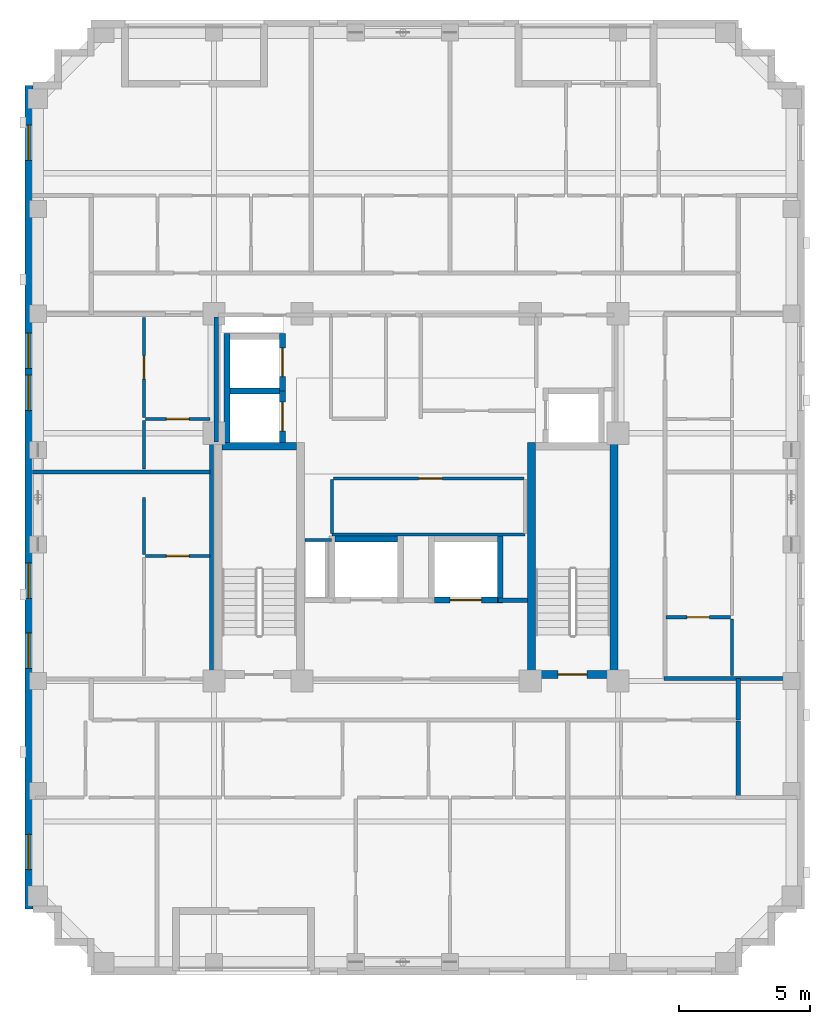
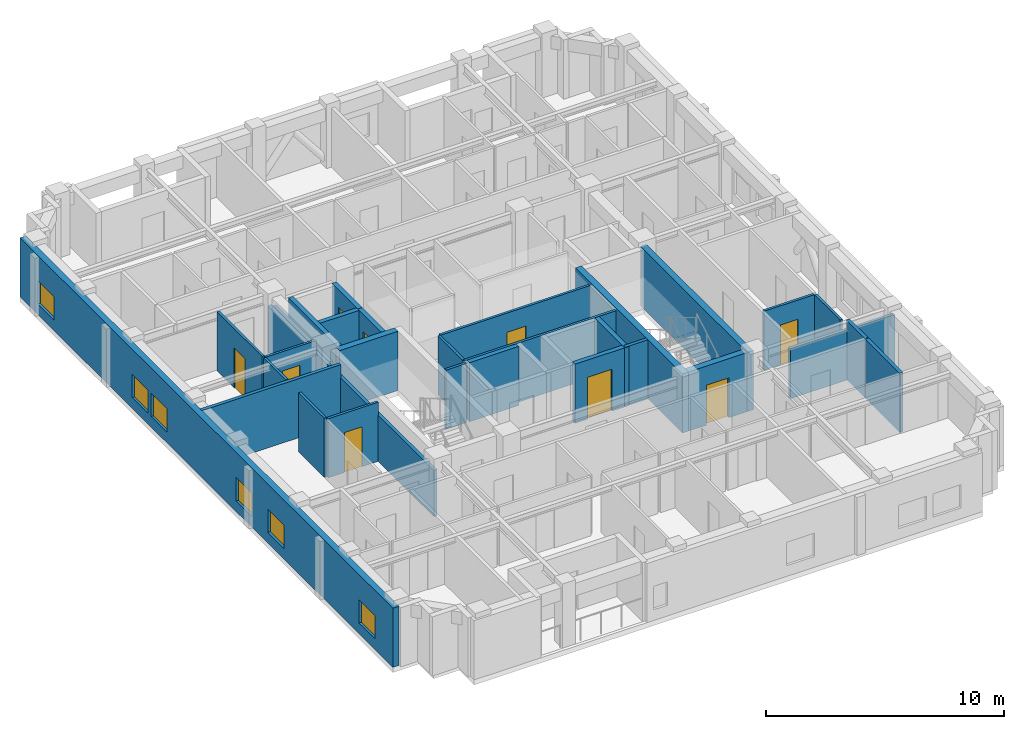
# One storey, part 4 of 11: 30 walls, 9 doors, 6 windows, 15 openings.
"""IFC4 building model written with IfcOpenShell, lengths in metres."""

from ifc_helpers import new_model, si_unit, derived_unit, direction, frame, frame_2d, origin, place, context, subcontext, project, spatial, rectangle, extrude, material, layer, layer_set, type_object, element, fill, save


model = new_model("IFC4")

# Units and contexts
model_context = context("Model", 3, precision=1e-05, world=origin(), true_north=direction((0.0, 1.0)))
body_context = subcontext(model_context, "Body", "Model", "MODEL_VIEW")
ifc_project = project(units=[si_unit("LENGTHUNIT", "METRE"), si_unit("AREAUNIT", "SQUARE_METRE"), si_unit("VOLUMEUNIT", "CUBIC_METRE"), si_unit("PLANEANGLEUNIT", "RADIAN"), si_unit("MASSUNIT", "GRAM", prefix="KILO"), derived_unit("THERMALTRANSMITTANCEUNIT", [(si_unit("MASSUNIT", "GRAM", prefix="KILO"), 1), (si_unit("TIMEUNIT", "SECOND"), -3), (si_unit("THERMODYNAMICTEMPERATUREUNIT", "KELVIN"), -1)])], contexts=[model_context])

# Site, building, storey
site_placement = place(None, origin())
site = spatial("IfcSite", under=ifc_project, at=site_placement, CompositionType="ELEMENT")
building_placement = place(site_placement, origin())
building = spatial("IfcBuilding", under=site, at=building_placement, Name="Korrvale Station Residences", CompositionType="ELEMENT")
storey_placement = place(building_placement, frame((0.0, 0.0, 187.60009765625)))
storey = spatial("IfcBuildingStorey", under=building, at=storey_placement, Name="L54", CompositionType="ELEMENT", Elevation=187.60009765625)

# Walls
ifc_material_1 = material(Name="Concrete C50/60", Category="concrete")
ifc_layer_1 = layer(ifc_material_1, 0.300048828125, Name="Concrete C50/60")
ifc_layer_set_1 = layer_set([ifc_layer_1], Name="Concrete C50/60")
wall_type_1 = type_object("IfcWallType", Name="WAL-CORE-300-C50", PredefinedType="SHEAR", material=ifc_layer_set_1)
wall_1_placement = place(storey_placement, frame((18.10009765625, 23.949951171875, 0.0), z_axis=(0.0, 0.0, 1.0), x_axis=(1.0, 0.0, 0.0)))
element("IfcWall", 1, at=wall_1_placement, inside=storey, type_object=wall_type_1, Name="L54 ST-1 Core Shear Wall North", PredefinedType="SHEAR", context=body_context, shape_type="SweptSolid", body=[
    extrude(rectangle(XDim=2.849853515625, YDim=0.300048828125, at=frame_2d((1.4248046875, 0.0))), origin(), (0.0, 0.0, 1.0), 3.039794921875),
])
for number, where, z_axis, x_axis, name in (
    (2, (29.89990234375, 15.10009765625, 0.0), (0.0, 0.0, 1.0), (0.0, 1.0, 0.0), "L54 ST-2 Core Shear Wall West"),
    (3, (33.050048828125, 15.10009765625, 0.0), (0.0, 0.0, 1.0), (0.0, 1.0, 0.0), "L54 ST-2 Core Shear Wall East"),
):
    element("IfcWall", number, at=place(storey_placement, frame(where, z_axis=z_axis, x_axis=x_axis)), inside=storey, type_object=wall_type_1, Name=name, PredefinedType="SHEAR", context=body_context, shape_type="SweptSolid", body=[
        extrude(rectangle(XDim=9.0, YDim=0.300048828125, at=frame_2d((4.5, 0.0))), origin(), (0.0, 0.0, 1.0), 3.039794921875),
    ])

# Wall, opening, door
wall_2_placement = place(storey_placement, frame((30.050048828125, 15.25, 0.0), z_axis=(0.0, 0.0, 1.0), x_axis=(1.0, 0.0, 0.0)))
wall_2 = element("IfcWall", 4, at=wall_2_placement, inside=storey, type_object=wall_type_1, Name="L54 ST-2 Core Shear Wall South", PredefinedType="SHEAR", context=body_context, shape_type="SweptSolid", body=[
    extrude(rectangle(XDim=2.849853515625, YDim=0.300048828125, at=frame_2d((1.4248046875, 0.0))), origin(), (0.0, 0.0, 1.0), 3.039794921875),
])
opening_1_placement = place(wall_2_placement, frame((0.860107421875, 0.0, 0.0)))
opening_1 = element("IfcOpeningElement", 5, at=opening_1_placement, cuts=wall_2, Name="Opening SD-1100", PredefinedType="OPENING", context=body_context, shape_type="SweptSolid", body=[
    extrude(rectangle(XDim=1.10009765625, YDim=2.050048828125, at=frame_2d((0.550048828125, 1.02490234375))), frame((0.0, 0.16015625, 0.0), z_axis=(0.0, -1.0, 0.0), x_axis=(1.0, 0.0, 0.0)), (0.0, 0.0, 1.0), 0.320068359375),
])
ifc_material_2 = material(Name="Hollow-metal fire-rated stair door with closer", Category="steel")
door_type_1 = type_object("IfcDoorType", Name="DR-STAIR-1100", OperationType="NOTDEFINED", PredefinedType="DOOR", material=ifc_material_2)
door_1_placement = place(opening_1_placement, origin())
door_1 = element("IfcDoor", 6, at=door_1_placement, inside=storey, type_object=door_type_1, Name="L54 ST-2 Exit Stair Door", OperationType="SINGLE_SWING_RIGHT", OverallHeight=2.050048828125, OverallWidth=1.10009765625, PredefinedType="DOOR", context=body_context, shape_type="SweptSolid", body=[
    extrude(rectangle(XDim=1.10009765625, YDim=2.050048828125, at=frame_2d((0.550048828125, 1.02490234375))), frame((0.0, 0.02490234375, 0.0), z_axis=(0.0, -1.0, 0.0), x_axis=(1.0, 0.0, 0.0)), (0.0, 0.0, 1.0), 0.050048828125),
])
fill(opening_1, door_1)

# Wall, openings, windows
ifc_material_3 = material(Name="Precast concrete C45/55", Category="concrete")
ifc_layer_2 = layer(ifc_material_3, 0.300048828125, Name="Precast concrete C45/55")
ifc_layer_set_2 = layer_set([ifc_layer_2], Name="Precast concrete C45/55")
wall_type_2 = type_object("IfcWallType", Name="WAL-EXT-PC300", PredefinedType="SOLIDWALL", material=ifc_layer_set_2)
wall_3_placement = place(storey_placement, frame((10.75, 6.300048828125, 0.0), z_axis=(0.0, 0.0, 1.0), x_axis=(0.0, 1.0, 0.0)))
wall_3 = element("IfcWall", 7, at=wall_3_placement, inside=storey, type_object=wall_type_2, Name="L54 West Exterior Precast Wall 1", PredefinedType="SOLIDWALL", context=body_context, shape_type="SweptSolid", body=[
    extrude(rectangle(XDim=31.39990234375, YDim=0.300048828125, at=frame_2d((15.699951171875, 0.0))), origin(), (0.0, 0.0, 1.0), 3.039794921875),
])
opening_2_placement = place(wall_3_placement, frame((1.50390625, 0.0, 0.550048828125)))
opening_2 = element("IfcOpeningElement", 8, at=opening_2_placement, cuts=wall_3, Name="Opening W-10", PredefinedType="OPENING", context=body_context, shape_type="SweptSolid", body=[
    extrude(rectangle(XDim=1.35009765625, YDim=1.199951171875, at=frame_2d((0.675048828125, 0.60009765625))), frame((0.0, 0.16015625, 0.0), z_axis=(0.0, -1.0, 0.0), x_axis=(1.0, 0.0, 0.0)), (0.0, 0.0, 1.0), 0.320068359375),
])
opening_3_placement = place(wall_3_placement, frame((28.5458984375, 0.0, 0.550048828125)))
opening_3 = element("IfcOpeningElement", 9, at=opening_3_placement, cuts=wall_3, Name="Opening W-10", PredefinedType="OPENING", context=body_context, shape_type="SweptSolid", body=[
    extrude(rectangle(XDim=1.35009765625, YDim=1.199951171875, at=frame_2d((0.675048828125, 0.60009765625))), frame((0.0, 0.16015625, 0.0), z_axis=(0.0, -1.0, 0.0), x_axis=(1.0, 0.0, 0.0)), (0.0, 0.0, 1.0), 0.320068359375),
])
opening_4_placement = place(wall_3_placement, frame((11.85009765625, 0.0, 0.550048828125)))
opening_4 = element("IfcOpeningElement", 10, at=opening_4_placement, cuts=wall_3, Name="Opening W-10", PredefinedType="OPENING", context=body_context, shape_type="SweptSolid", body=[
    extrude(rectangle(XDim=1.35009765625, YDim=1.199951171875, at=frame_2d((0.675048828125, 0.60009765625))), frame((0.0, 0.16015625, 0.0), z_axis=(0.0, -1.0, 0.0), x_axis=(1.0, 0.0, 0.0)), (0.0, 0.0, 1.0), 0.320068359375),
])
opening_5_placement = place(wall_3_placement, frame((9.18505859375, 0.0, 0.550048828125)))
opening_5 = element("IfcOpeningElement", 11, at=opening_5_placement, cuts=wall_3, Name="Opening W-10", PredefinedType="OPENING", context=body_context, shape_type="SweptSolid", body=[
    extrude(rectangle(XDim=1.35009765625, YDim=1.199951171875, at=frame_2d((0.675048828125, 0.60009765625))), frame((0.0, 0.16015625, 0.0), z_axis=(0.0, -1.0, 0.0), x_axis=(1.0, 0.0, 0.0)), (0.0, 0.0, 1.0), 0.320068359375),
])
opening_6_placement = place(wall_3_placement, frame((19.006103515625, 0.0, 0.550048828125)))
opening_6 = element("IfcOpeningElement", 12, at=opening_6_placement, cuts=wall_3, Name="Opening W-10", PredefinedType="OPENING", context=body_context, shape_type="SweptSolid", body=[
    extrude(rectangle(XDim=1.35009765625, YDim=1.199951171875, at=frame_2d((0.675048828125, 0.60009765625))), frame((0.0, 0.16015625, 0.0), z_axis=(0.0, -1.0, 0.0), x_axis=(1.0, 0.0, 0.0)), (0.0, 0.0, 1.0), 0.320068359375),
])
opening_7_placement = place(wall_3_placement, frame((20.615966796875, 0.0, 0.550048828125)))
opening_7 = element("IfcOpeningElement", 13, at=opening_7_placement, cuts=wall_3, Name="Opening W-10", PredefinedType="OPENING", context=body_context, shape_type="SweptSolid", body=[
    extrude(rectangle(XDim=1.35009765625, YDim=1.199951171875, at=frame_2d((0.675048828125, 0.60009765625))), frame((0.0, 0.16015625, 0.0), z_axis=(0.0, -1.0, 0.0), x_axis=(1.0, 0.0, 0.0)), (0.0, 0.0, 1.0), 0.320068359375),
])
ifc_material_4 = material(Name="Thermally broken aluminium frame with triple low-e glazing", Category="aluminium")
window_type = type_object("IfcWindowType", Name="WIN-W10", PartitioningType="SINGLE_PANEL", PredefinedType="WINDOW", material=ifc_material_4)
window_1_placement = place(opening_2_placement, origin())
window_1 = element("IfcWindow", 14, at=window_1_placement, inside=storey, type_object=window_type, Name="L54 Punched Window 01", OverallHeight=1.199951171875, OverallWidth=1.35009765625, PartitioningType="SINGLE_PANEL", PredefinedType="WINDOW", context=body_context, shape_type="SweptSolid", body=[
    extrude(rectangle(XDim=1.35009765625, YDim=1.199951171875, at=frame_2d((0.675048828125, 0.60009765625))), frame((0.0, 0.030029296875, 0.0), z_axis=(0.0, -1.0, 0.0), x_axis=(1.0, 0.0, 0.0)), (0.0, 0.0, 1.0), 0.06005859375),
])
fill(opening_2, window_1)
window_2_placement = place(opening_3_placement, origin())
window_2 = element("IfcWindow", 15, at=window_2_placement, inside=storey, type_object=window_type, Name="L54 Punched Window 06", OverallHeight=1.199951171875, OverallWidth=1.35009765625, PartitioningType="SINGLE_PANEL", PredefinedType="WINDOW", context=body_context, shape_type="SweptSolid", body=[
    extrude(rectangle(XDim=1.35009765625, YDim=1.199951171875, at=frame_2d((0.675048828125, 0.60009765625))), frame((0.0, 0.030029296875, 0.0), z_axis=(0.0, -1.0, 0.0), x_axis=(1.0, 0.0, 0.0)), (0.0, 0.0, 1.0), 0.06005859375),
])
fill(opening_3, window_2)
window_3_placement = place(opening_4_placement, origin())
window_3 = element("IfcWindow", 16, at=window_3_placement, inside=storey, type_object=window_type, Name="L54 Punched Window 11", OverallHeight=1.199951171875, OverallWidth=1.35009765625, PartitioningType="SINGLE_PANEL", PredefinedType="WINDOW", context=body_context, shape_type="SweptSolid", body=[
    extrude(rectangle(XDim=1.35009765625, YDim=1.199951171875, at=frame_2d((0.675048828125, 0.60009765625))), frame((0.0, 0.030029296875, 0.0), z_axis=(0.0, -1.0, 0.0), x_axis=(1.0, 0.0, 0.0)), (0.0, 0.0, 1.0), 0.06005859375),
])
fill(opening_4, window_3)
window_4_placement = place(opening_5_placement, origin())
window_4 = element("IfcWindow", 17, at=window_4_placement, inside=storey, type_object=window_type, Name="L54 Punched Window 12", OverallHeight=1.199951171875, OverallWidth=1.35009765625, PartitioningType="SINGLE_PANEL", PredefinedType="WINDOW", context=body_context, shape_type="SweptSolid", body=[
    extrude(rectangle(XDim=1.35009765625, YDim=1.199951171875, at=frame_2d((0.675048828125, 0.60009765625))), frame((0.0, 0.030029296875, 0.0), z_axis=(0.0, -1.0, 0.0), x_axis=(1.0, 0.0, 0.0)), (0.0, 0.0, 1.0), 0.06005859375),
])
fill(opening_5, window_4)
window_5_placement = place(opening_6_placement, origin())
window_5 = element("IfcWindow", 18, at=window_5_placement, inside=storey, type_object=window_type, Name="L54 Punched Window 13", OverallHeight=1.199951171875, OverallWidth=1.35009765625, PartitioningType="SINGLE_PANEL", PredefinedType="WINDOW", context=body_context, shape_type="SweptSolid", body=[
    extrude(rectangle(XDim=1.35009765625, YDim=1.199951171875, at=frame_2d((0.675048828125, 0.60009765625))), frame((0.0, 0.030029296875, 0.0), z_axis=(0.0, -1.0, 0.0), x_axis=(1.0, 0.0, 0.0)), (0.0, 0.0, 1.0), 0.06005859375),
])
fill(opening_6, window_5)
window_6_placement = place(opening_7_placement, origin())
window_6 = element("IfcWindow", 19, at=window_6_placement, inside=storey, type_object=window_type, Name="L54 Punched Window 14", OverallHeight=1.199951171875, OverallWidth=1.35009765625, PartitioningType="SINGLE_PANEL", PredefinedType="WINDOW", context=body_context, shape_type="SweptSolid", body=[
    extrude(rectangle(XDim=1.35009765625, YDim=1.199951171875, at=frame_2d((0.675048828125, 0.60009765625))), frame((0.0, 0.030029296875, 0.0), z_axis=(0.0, -1.0, 0.0), x_axis=(1.0, 0.0, 0.0)), (0.0, 0.0, 1.0), 0.06005859375),
])
fill(opening_7, window_6)

# Walls
ifc_material_5 = material(Name="Acoustic steel-stud gypsum board partition", Category="steel")
ifc_layer_3 = layer(ifc_material_5, 0.1201171875, Name="Acoustic steel-stud gypsum board partition")
ifc_layer_set_3 = layer_set([ifc_layer_3], Name="Acoustic steel-stud gypsum board partition")
wall_type_3 = type_object("IfcWallType", Name="WAL-PART-125", PredefinedType="PARTITIONING", material=ifc_layer_set_3)
wall_4_placement = place(storey_placement, frame((22.280029296875, 20.3798828125, 0.0), z_axis=(0.0, 0.0, 1.0), x_axis=(-1.0, 0.0, 0.0)))
element("IfcWall", 20, at=wall_4_placement, inside=storey, type_object=wall_type_3, Name="L54 Core Partition CW-RSWT-N", PredefinedType="PARTITIONING", context=body_context, shape_type="SweptSolid", body=[
    extrude(rectangle(XDim=1.02001953125, YDim=0.1201171875, at=frame_2d((0.510009765625, 0.0))), origin(), (0.0, 0.0, 1.0), 3.039794921875),
])
wall_5_placement = place(storey_placement, frame((22.300048828125, 20.580078125, 0.0), z_axis=(0.0, 0.0, 1.0), x_axis=(1.0, 0.0, 0.0)))
element("IfcWall", 21, at=wall_5_placement, inside=storey, type_object=wall_type_3, Name="L54 Core Partition CW-FPM-S", PredefinedType="PARTITIONING", context=body_context, shape_type="SweptSolid", body=[
    extrude(rectangle(XDim=7.349853515625, YDim=0.1201171875, at=frame_2d((3.6748046875, 0.0))), origin(), (0.0, 0.0, 1.0), 3.039794921875),
])
wall_6_placement = place(storey_placement, frame((22.300048828125, 20.6201171875, 0.0), z_axis=(0.0, 0.0, 1.0), x_axis=(0.0, 1.0, 0.0)))
element("IfcWall", 22, at=wall_6_placement, inside=storey, type_object=wall_type_3, Name="L54 Core Partition CW-FPM-W", PredefinedType="PARTITIONING", context=body_context, shape_type="SweptSolid", body=[
    extrude(rectangle(XDim=2.059814453125, YDim=0.1201171875, at=frame_2d((1.02978515625, 0.0))), origin(), (0.0, 0.0, 1.0), 3.039794921875),
])

# Wall, opening, door
wall_7_placement = place(storey_placement, frame((22.35009765625, 22.719970703125, 0.0), z_axis=(0.0, 0.0, 1.0), x_axis=(1.0, 0.0, 0.0)))
wall_7 = element("IfcWall", 23, at=wall_7_placement, inside=storey, type_object=wall_type_3, Name="L54 Core Partition CW-FPM-N", PredefinedType="PARTITIONING", context=body_context, shape_type="SweptSolid", body=[
    extrude(rectangle(XDim=7.27001953125, YDim=0.1201171875, at=frame_2d((3.635009765625, 0.0))), origin(), (0.0, 0.0, 1.0), 3.039794921875),
])
opening_8_placement = place(wall_7_placement, frame((3.25, 0.0, 0.0)))
opening_8 = element("IfcOpeningElement", 24, at=opening_8_placement, cuts=wall_7, Name="Opening DI-900", PredefinedType="OPENING", context=body_context, shape_type="SweptSolid", body=[
    extrude(rectangle(XDim=0.89990234375, YDim=2.050048828125, at=frame_2d((0.449951171875, 1.02490234375))), frame((0.0, 0.070068359375, 0.0), z_axis=(0.0, -1.0, 0.0), x_axis=(1.0, 0.0, 0.0)), (0.0, 0.0, 1.0), 0.14013671875),
])
ifc_material_6 = material(Name="Painted solid-core timber interior room door", Category="wood")
door_type_2 = type_object("IfcDoorType", Name="DR-INT-900", OperationType="NOTDEFINED", PredefinedType="DOOR", material=ifc_material_6)
door_2_placement = place(opening_8_placement, origin())
door_2 = element("IfcDoor", 25, at=door_2_placement, inside=storey, type_object=door_type_2, Name="L54 Beverage Store Door", OperationType="SINGLE_SWING_RIGHT", OverallHeight=2.050048828125, OverallWidth=0.89990234375, PredefinedType="DOOR", context=body_context, shape_type="SweptSolid", body=[
    extrude(rectangle(XDim=0.89990234375, YDim=2.050048828125, at=frame_2d((0.449951171875, 1.02490234375))), frame((0.0, 0.02490234375, 0.0), z_axis=(0.0, -1.0, 0.0), x_axis=(1.0, 0.0, 0.0)), (0.0, 0.0, 1.0), 0.050048828125),
])
fill(opening_8, door_2)

wall_8_placement = place(storey_placement, frame((15.18994140625, 19.77001953125, 0.0), z_axis=(0.0, 0.0, 1.0), x_axis=(1.0, 0.0, 0.0)))
wall_8 = element("IfcWall", 26, at=wall_8_placement, inside=storey, type_object=wall_type_3, Name="L54 Suite Partition U07-H01", PredefinedType="PARTITIONING", context=body_context, shape_type="SweptSolid", body=[
    extrude(rectangle(XDim=2.449951171875, YDim=0.1201171875, at=frame_2d((1.22509765625, 0.0))), origin(), (0.0, 0.0, 1.0), 3.039794921875),
])
opening_9_placement = place(wall_8_placement, frame((0.794921875, 0.0, 0.0)))
opening_9 = element("IfcOpeningElement", 27, at=opening_9_placement, cuts=wall_8, Name="Opening DB-860", PredefinedType="OPENING", context=body_context, shape_type="SweptSolid", body=[
    extrude(rectangle(XDim=0.860107421875, YDim=2.050048828125, at=frame_2d((0.43017578125, 1.02490234375))), frame((0.0, 0.070068359375, 0.0), z_axis=(0.0, -1.0, 0.0), x_axis=(1.0, 0.0, 0.0)), (0.0, 0.0, 1.0), 0.14013671875),
])
ifc_material_7 = material(Name="Moisture-resistant solid-core bathroom door", Category="timber")
door_type_3 = type_object("IfcDoorType", Name="DR-BATH-860", OperationType="NOTDEFINED", PredefinedType="DOOR", material=ifc_material_7)
door_3_placement = place(opening_9_placement, origin())
door_3 = element("IfcDoor", 28, at=door_3_placement, inside=storey, type_object=door_type_3, Name="L54 Studio Apartment L54-U07 Bathroom Door", OperationType="SINGLE_SWING_LEFT", OverallHeight=2.050048828125, OverallWidth=0.860107421875, PredefinedType="DOOR", context=body_context, shape_type="SweptSolid", body=[
    extrude(rectangle(XDim=0.860107421875, YDim=2.050048828125, at=frame_2d((0.43017578125, 1.02490234375))), frame((0.0, 0.02490234375, 0.0), z_axis=(0.0, -1.0, 0.0), x_axis=(1.0, 0.0, 0.0)), (0.0, 0.0, 1.0), 0.050048828125),
])
fill(opening_9, door_3)

# Wall
wall_9_placement = place(storey_placement, frame((15.1298828125, 19.830078125, 0.0), z_axis=(0.0, 0.0, 1.0), x_axis=(0.0, 1.0, 0.0)))
element("IfcWall", 29, at=wall_9_placement, inside=storey, type_object=wall_type_3, Name="L54 Suite Partition U07-V02", PredefinedType="PARTITIONING", context=body_context, shape_type="SweptSolid", body=[
    extrude(rectangle(XDim=2.158935546875, YDim=0.1201171875, at=frame_2d((1.07958984375, 0.0))), origin(), (0.0, 0.0, 1.0), 3.039794921875),
])

# Wall, opening, door
wall_10_placement = place(storey_placement, frame((15.18994140625, 24.991943359375, 0.0), z_axis=(0.0, 0.0, 1.0), x_axis=(1.0, 0.0, 0.0)))
wall_10 = element("IfcWall", 30, at=wall_10_placement, inside=storey, type_object=wall_type_3, Name="L54 Suite Partition U08-H01", PredefinedType="PARTITIONING", context=body_context, shape_type="SweptSolid", body=[
    extrude(rectangle(XDim=2.449951171875, YDim=0.1201171875, at=frame_2d((1.22509765625, 0.0))), origin(), (0.0, 0.0, 1.0), 3.039794921875),
])
opening_10_placement = place(wall_10_placement, frame((0.794921875, 0.0, 0.0)))
opening_10 = element("IfcOpeningElement", 31, at=opening_10_placement, cuts=wall_10, Name="Opening DB-860", PredefinedType="OPENING", context=body_context, shape_type="SweptSolid", body=[
    extrude(rectangle(XDim=0.860107421875, YDim=2.050048828125, at=frame_2d((0.43017578125, 1.02490234375))), frame((0.0, 0.070068359375, 0.0), z_axis=(0.0, -1.0, 0.0), x_axis=(1.0, 0.0, 0.0)), (0.0, 0.0, 1.0), 0.14013671875),
])
door_4_placement = place(opening_10_placement, origin())
door_4 = element("IfcDoor", 32, at=door_4_placement, inside=storey, type_object=door_type_3, Name="L54 Studio Apartment L54-U08 Bathroom Door", OperationType="SINGLE_SWING_RIGHT", OverallHeight=2.050048828125, OverallWidth=0.860107421875, PredefinedType="DOOR", context=body_context, shape_type="SweptSolid", body=[
    extrude(rectangle(XDim=0.860107421875, YDim=2.050048828125, at=frame_2d((0.43017578125, 1.02490234375))), frame((0.0, 0.02490234375, 0.0), z_axis=(0.0, -1.0, 0.0), x_axis=(1.0, 0.0, 0.0)), (0.0, 0.0, 1.0), 0.050048828125),
])
fill(opening_10, door_4)

# Wall
wall_11_placement = place(storey_placement, frame((15.1298828125, 23.08203125, 0.0), z_axis=(0.0, 0.0, 1.0), x_axis=(0.0, 1.0, 0.0)))
element("IfcWall", 33, at=wall_11_placement, inside=storey, type_object=wall_type_3, Name="L54 Suite Partition U08-V02", PredefinedType="PARTITIONING", context=body_context, shape_type="SweptSolid", body=[
    extrude(rectangle(XDim=1.849853515625, YDim=0.1201171875, at=frame_2d((0.9248046875, 0.0))), origin(), (0.0, 0.0, 1.0), 3.039794921875),
])

# Wall, opening, door
wall_12_placement = place(storey_placement, frame((15.1298828125, 25.052001953125, 0.0), z_axis=(0.0, 0.0, 1.0), x_axis=(0.0, 1.0, 0.0)))
wall_12 = element("IfcWall", 34, at=wall_12_placement, inside=storey, type_object=wall_type_3, Name="L54 Suite Partition U08-V12", PredefinedType="PARTITIONING", context=body_context, shape_type="SweptSolid", body=[
    extrude(rectangle(XDim=3.80810546875, YDim=0.1201171875, at=frame_2d((1.904052734375, 0.0))), origin(), (0.0, 0.0, 1.0), 3.039794921875),
])
opening_11_placement = place(wall_12_placement, frame((1.4541015625, 0.0, 0.0)))
opening_11 = element("IfcOpeningElement", 35, at=opening_11_placement, cuts=wall_12, Name="Opening DI-900", PredefinedType="OPENING", context=body_context, shape_type="SweptSolid", body=[
    extrude(rectangle(XDim=0.89990234375, YDim=2.050048828125, at=frame_2d((0.449951171875, 1.02490234375))), frame((0.0, 0.070068359375, 0.0), z_axis=(0.0, -1.0, 0.0), x_axis=(1.0, 0.0, 0.0)), (0.0, 0.0, 1.0), 0.14013671875),
])
door_5_placement = place(opening_11_placement, origin())
door_5 = element("IfcDoor", 36, at=door_5_placement, inside=storey, type_object=door_type_2, Name="L54 Studio Apartment L54-U08 Kitchen Door", OperationType="SINGLE_SWING_LEFT", OverallHeight=2.050048828125, OverallWidth=0.89990234375, PredefinedType="DOOR", context=body_context, shape_type="SweptSolid", body=[
    extrude(rectangle(XDim=0.89990234375, YDim=2.050048828125, at=frame_2d((0.449951171875, 1.02490234375))), frame((0.0, 0.02490234375, 0.0), z_axis=(0.0, -1.0, 0.0), x_axis=(1.0, 0.0, 0.0)), (0.0, 0.0, 1.0), 0.050048828125),
])
fill(opening_11, door_5)

wall_13_placement = place(storey_placement, frame((35.030029296875, 17.428955078125, 0.0), z_axis=(0.0, 0.0, 1.0), x_axis=(1.0, 0.0, 0.0)))
wall_13 = element("IfcWall", 37, at=wall_13_placement, inside=storey, type_object=wall_type_3, Name="L54 Suite Partition U09-H01", PredefinedType="PARTITIONING", context=body_context, shape_type="SweptSolid", body=[
    extrude(rectangle(XDim=2.449951171875, YDim=0.1201171875, at=frame_2d((1.22509765625, 0.0))), origin(), (0.0, 0.0, 1.0), 3.039794921875),
])
opening_12_placement = place(wall_13_placement, frame((0.794921875, 0.0, 0.0)))
opening_12 = element("IfcOpeningElement", 38, at=opening_12_placement, cuts=wall_13, Name="Opening DB-860", PredefinedType="OPENING", context=body_context, shape_type="SweptSolid", body=[
    extrude(rectangle(XDim=0.860107421875, YDim=2.050048828125, at=frame_2d((0.43017578125, 1.02490234375))), frame((0.0, 0.070068359375, 0.0), z_axis=(0.0, -1.0, 0.0), x_axis=(1.0, 0.0, 0.0)), (0.0, 0.0, 1.0), 0.14013671875),
])
door_6_placement = place(opening_12_placement, origin())
door_6 = element("IfcDoor", 39, at=door_6_placement, inside=storey, type_object=door_type_3, Name="L54 Apartment 1BR L54-U09 Bathroom Door", OperationType="SINGLE_SWING_RIGHT", OverallHeight=2.050048828125, OverallWidth=0.860107421875, PredefinedType="DOOR", context=body_context, shape_type="SweptSolid", body=[
    extrude(rectangle(XDim=0.860107421875, YDim=2.050048828125, at=frame_2d((0.43017578125, 1.02490234375))), frame((0.0, 0.02490234375, 0.0), z_axis=(0.0, -1.0, 0.0), x_axis=(1.0, 0.0, 0.0)), (0.0, 0.0, 1.0), 0.050048828125),
])
fill(opening_12, door_6)

# Walls
wall_14_placement = place(storey_placement, frame((37.5400390625, 15.2099609375, 0.0), z_axis=(0.0, 0.0, 1.0), x_axis=(0.0, 1.0, 0.0)))
element("IfcWall", 40, at=wall_14_placement, inside=storey, type_object=wall_type_3, Name="L54 Suite Partition U09-V02", PredefinedType="PARTITIONING", context=body_context, shape_type="SweptSolid", body=[
    extrude(rectangle(XDim=2.158935546875, YDim=0.1201171875, at=frame_2d((1.07958984375, 0.0))), origin(), (0.0, 0.0, 1.0), 3.039794921875),
])
ifc_material_8 = material(Name="Fire-rated twin-stud gypsum and mineral wool shaftwall assembly", Category="gypsum")
ifc_layer_4 = layer(ifc_material_8, 0.159912109375, Name="Fire-rated twin-stud gypsum and mineral wool shaftwall assembly")
ifc_layer_set_4 = layer_set([ifc_layer_4], Name="Fire-rated twin-stud gypsum and mineral wool shaftwall assembly")
wall_type_4 = type_object("IfcWallType", Name="WAL-PART-200", PredefinedType="PARTITIONING", material=ifc_layer_set_4)
wall_15_placement = place(storey_placement, frame((28.64990234375, 18.080078125, 0.0), z_axis=(0.0, 0.0, 1.0), x_axis=(1.0, 0.0, 0.0)))
element("IfcWall", 41, at=wall_15_placement, inside=storey, type_object=wall_type_4, Name="L54 Core Partition CW-FFL-N3", PredefinedType="PARTITIONING", context=body_context, shape_type="SweptSolid", body=[
    extrude(rectangle(XDim=1.10009765625, YDim=0.159912109375, at=frame_2d((0.550048828125, 0.0))), origin(), (0.0, 0.0, 1.0), 3.039794921875),
])
wall_16_placement = place(storey_placement, frame((17.8798828125, 24.1201171875, 0.0), z_axis=(0.0, 0.0, 1.0), x_axis=(0.0, 1.0, 0.0)))
element("IfcWall", 42, at=wall_16_placement, inside=storey, type_object=wall_type_4, Name="L54 Core Partition CW-W-N", PredefinedType="PARTITIONING", context=body_context, shape_type="SweptSolid", body=[
    extrude(rectangle(XDim=4.759765625, YDim=0.159912109375, at=frame_2d((2.3798828125, 0.0))), origin(), (0.0, 0.0, 1.0), 2.375),
])
wall_17_placement = place(storey_placement, frame((37.780029296875, 13.510009765625, 0.0), z_axis=(0.0, 0.0, 1.0), x_axis=(0.0, 1.0, 0.0)))
element("IfcWall", 43, at=wall_17_placement, inside=storey, type_object=wall_type_4, Name="L54 Corridor South East Cap", PredefinedType="PARTITIONING", context=body_context, shape_type="SweptSolid", body=[
    extrude(rectangle(XDim=1.580078125, YDim=0.159912109375, at=frame_2d((0.7900390625, 0.0))), origin(), (0.0, 0.0, 1.0), 3.039794921875),
])
wall_18_placement = place(storey_placement, frame((34.949951171875, 15.090087890625, 0.0), z_axis=(0.0, 0.0, 1.0), x_axis=(1.0, 0.0, 0.0)))
element("IfcWall", 44, at=wall_18_placement, inside=storey, type_object=wall_type_4, Name="L54 East Wing South Corridor Wall", PredefinedType="PARTITIONING", context=body_context, shape_type="SweptSolid", body=[
    extrude(rectangle(XDim=5.070068359375, YDim=0.159912109375, at=frame_2d((2.53515625, 0.0))), origin(), (0.0, 0.0, 1.0), 2.555908203125),
])
wall_19_placement = place(storey_placement, frame((37.780029296875, 10.56005859375, 0.0), z_axis=(0.0, 0.0, 1.0), x_axis=(0.0, 1.0, 0.0)))
element("IfcWall", 45, at=wall_19_placement, inside=storey, type_object=wall_type_4, Name="L54 Corner Step Cheek U03-R", PredefinedType="PARTITIONING", context=body_context, shape_type="SweptSolid", body=[
    extrude(rectangle(XDim=2.909912109375, YDim=0.159912109375, at=frame_2d((1.455078125, 0.0))), origin(), (0.0, 0.0, 1.0), 3.039794921875),
])
wall_20_placement = place(storey_placement, frame((10.8798828125, 22.9619140625, 0.0), z_axis=(0.0, 0.0, 1.0), x_axis=(1.0, 0.0, 0.0)))
element("IfcWall", 46, at=wall_20_placement, inside=storey, type_object=wall_type_4, Name="L54 Demising Wall U07-N", PredefinedType="PARTITIONING", context=body_context, shape_type="SweptSolid", body=[
    extrude(rectangle(XDim=6.760009765625, YDim=0.159912109375, at=frame_2d((3.3798828125, 0.0))), origin(), (0.0, 0.0, 1.0), 3.039794921875),
])
wall_21_placement = place(storey_placement, frame((17.699951171875, 15.02001953125, 0.0), z_axis=(0.0, 0.0, 1.0), x_axis=(0.0, 1.0, 0.0)))
element("IfcWall", 47, at=wall_21_placement, inside=storey, type_object=wall_type_4, Name="L54 Rated Corridor Wall W", PredefinedType="PARTITIONING", context=body_context, shape_type="SweptSolid", body=[
    extrude(rectangle(XDim=13.97998046875, YDim=0.159912109375, at=frame_2d((6.989990234375, 0.0))), origin(), (0.0, 0.0, 1.0), 2.375),
])
ifc_layer_5 = layer(ifc_material_1, 0.219970703125, Name="Concrete C50/60")
ifc_layer_set_5 = layer_set([ifc_layer_5], Name="Concrete C50/60")
wall_type_5 = type_object("IfcWallType", Name="WAL-SHAFT-220-C50", PredefinedType="SHEAR", material=ifc_layer_set_5)
wall_22_placement = place(storey_placement, frame((18.2900390625, 24.10009765625, 0.0), z_axis=(0.0, 0.0, 1.0), x_axis=(0.0, 1.0, 0.0)))
element("IfcWall", 48, at=wall_22_placement, inside=storey, type_object=wall_type_5, Name="L54 Elevator PH-1 Hoistway Wall West", PredefinedType="SHEAR", context=body_context, shape_type="SweptSolid", body=[
    extrude(rectangle(XDim=4.139892578125, YDim=0.219970703125, at=frame_2d((2.06982421875, 0.0))), origin(), (0.0, 0.0, 1.0), 3.039794921875),
])

# Wall, opening, door
wall_23_placement = place(storey_placement, frame((20.409912109375, 24.10009765625, 0.0), z_axis=(0.0, 0.0, 1.0), x_axis=(0.0, 1.0, 0.0)))
wall_23 = element("IfcWall", 49, at=wall_23_placement, inside=storey, type_object=wall_type_5, Name="L54 Elevator PH-1 Hoistway Wall East", PredefinedType="SHEAR", context=body_context, shape_type="SweptSolid", body=[
    extrude(rectangle(XDim=1.9599609375, YDim=0.219970703125, at=frame_2d((0.97998046875, 0.0))), origin(), (0.0, 0.0, 1.0), 3.039794921875),
])
opening_13_placement = place(wall_23_placement, frame((0.429931640625, 0.0, 0.0)))
opening_13 = element("IfcOpeningElement", 50, at=opening_13_placement, cuts=wall_23, Name="Opening LD-1100", PredefinedType="OPENING", context=body_context, shape_type="SweptSolid", body=[
    extrude(rectangle(XDim=1.10009765625, YDim=2.14990234375, at=frame_2d((0.550048828125, 1.074951171875))), frame((0.0, 0.1201171875, 0.0), z_axis=(0.0, -1.0, 0.0), x_axis=(1.0, 0.0, 0.0)), (0.0, 0.0, 1.0), 0.239990234375),
])
ifc_material_9 = material(Name="Brushed stainless-steel elevator landing sliding door", Category="steel")
door_type_4 = type_object("IfcDoorType", Name="DR-LIFT-1100", OperationType="SLIDING_TO_LEFT", PredefinedType="DOOR", material=ifc_material_9)
door_7_placement = place(opening_13_placement, origin())
door_7 = element("IfcDoor", 51, at=door_7_placement, inside=storey, type_object=door_type_4, Name="L54 Elevator PH-1 Sliding Landing Door", OperationType="SLIDING_TO_LEFT", OverallHeight=2.14990234375, OverallWidth=1.10009765625, PredefinedType="DOOR", context=body_context, shape_type="SweptSolid", body=[
    extrude(rectangle(XDim=1.10009765625, YDim=2.14990234375, at=frame_2d((0.550048828125, 1.074951171875))), frame((0.0, 0.02490234375, 0.0), z_axis=(0.0, -1.0, 0.0), x_axis=(1.0, 0.0, 0.0)), (0.0, 0.0, 1.0), 0.050048828125),
])
fill(opening_13, door_7)

# Wall
wall_24_placement = place(storey_placement, frame((18.39990234375, 26.06005859375, 0.0), z_axis=(0.0, 0.0, 1.0), x_axis=(1.0, 0.0, 0.0)))
element("IfcWall", 52, at=wall_24_placement, inside=storey, type_object=wall_type_5, Name="L54 Elevator PH-2 Hoistway Wall South", PredefinedType="SHEAR", context=body_context, shape_type="SweptSolid", body=[
    extrude(rectangle(XDim=1.900146484375, YDim=0.219970703125, at=frame_2d((0.9501953125, 0.0))), origin(), (0.0, 0.0, 1.0), 3.039794921875),
])

# Wall, opening, door
wall_25_placement = place(storey_placement, frame((20.409912109375, 26.06005859375, 0.0), z_axis=(0.0, 0.0, 1.0), x_axis=(0.0, 1.0, 0.0)))
wall_25 = element("IfcWall", 53, at=wall_25_placement, inside=storey, type_object=wall_type_5, Name="L54 Elevator PH-2 Hoistway Wall East", PredefinedType="SHEAR", context=body_context, shape_type="SweptSolid", body=[
    extrude(rectangle(XDim=2.179931640625, YDim=0.219970703125, at=frame_2d((1.08984375, 0.0))), origin(), (0.0, 0.0, 1.0), 3.039794921875),
])
opening_14_placement = place(wall_25_placement, frame((0.5400390625, 0.0, 0.0)))
opening_14 = element("IfcOpeningElement", 54, at=opening_14_placement, cuts=wall_25, Name="Opening LD-1100", PredefinedType="OPENING", context=body_context, shape_type="SweptSolid", body=[
    extrude(rectangle(XDim=1.10009765625, YDim=2.14990234375, at=frame_2d((0.550048828125, 1.074951171875))), frame((0.0, 0.1201171875, 0.0), z_axis=(0.0, -1.0, 0.0), x_axis=(1.0, 0.0, 0.0)), (0.0, 0.0, 1.0), 0.239990234375),
])
door_8_placement = place(opening_14_placement, origin())
door_8 = element("IfcDoor", 55, at=door_8_placement, inside=storey, type_object=door_type_4, Name="L54 Elevator PH-2 Sliding Landing Door", OperationType="SLIDING_TO_LEFT", OverallHeight=2.14990234375, OverallWidth=1.10009765625, PredefinedType="DOOR", context=body_context, shape_type="SweptSolid", body=[
    extrude(rectangle(XDim=1.10009765625, YDim=2.14990234375, at=frame_2d((0.550048828125, 1.074951171875))), frame((0.0, 0.02490234375, 0.0), z_axis=(0.0, -1.0, 0.0), x_axis=(1.0, 0.0, 0.0)), (0.0, 0.0, 1.0), 0.050048828125),
])
fill(opening_14, door_8)

# Wall
wall_26_placement = place(storey_placement, frame((22.39990234375, 20.409912109375, 0.0), z_axis=(0.0, 0.0, 1.0), x_axis=(1.0, 0.0, 0.0)))
element("IfcWall", 56, at=wall_26_placement, inside=storey, type_object=wall_type_5, Name="L54 Elevator FFL-1 Hoistway Wall North", PredefinedType="SHEAR", context=body_context, shape_type="SweptSolid", body=[
    extrude(rectangle(XDim=2.400146484375, YDim=0.219970703125, at=frame_2d((1.2001953125, 0.0))), origin(), (0.0, 0.0, 1.0), 3.039794921875),
])

# Wall, opening, door
wall_27_placement = place(storey_placement, frame((26.199951171875, 18.090087890625, 0.0), z_axis=(0.0, 0.0, 1.0), x_axis=(1.0, 0.0, 0.0)))
wall_27 = element("IfcWall", 57, at=wall_27_placement, inside=storey, type_object=wall_type_5, Name="L54 Elevator FFL-2 Hoistway Wall South", PredefinedType="SHEAR", context=body_context, shape_type="SweptSolid", body=[
    extrude(rectangle(XDim=2.400146484375, YDim=0.219970703125, at=frame_2d((1.2001953125, 0.0))), origin(), (0.0, 0.0, 1.0), 3.039794921875),
])
opening_15_placement = place(wall_27_placement, frame((0.60009765625, 0.0, 0.0)))
opening_15 = element("IfcOpeningElement", 58, at=opening_15_placement, cuts=wall_27, Name="Opening LD-FF1200", PredefinedType="OPENING", context=body_context, shape_type="SweptSolid", body=[
    extrude(rectangle(XDim=1.199951171875, YDim=2.14990234375, at=frame_2d((0.60009765625, 1.074951171875))), frame((0.0, 0.1201171875, 0.0), z_axis=(0.0, -1.0, 0.0), x_axis=(1.0, 0.0, 0.0)), (0.0, 0.0, 1.0), 0.239990234375),
])
ifc_material_10 = material(Name="Stainless-steel firefighter elevator landing sliding door", Category="steel")
door_type_5 = type_object("IfcDoorType", Name="DR-LIFT-FF1200", OperationType="SLIDING_TO_LEFT", PredefinedType="DOOR", material=ifc_material_10)
door_9_placement = place(opening_15_placement, origin())
door_9 = element("IfcDoor", 59, at=door_9_placement, inside=storey, type_object=door_type_5, Name="L54 Elevator FFL-2 Sliding Landing Door", OperationType="SLIDING_TO_LEFT", OverallHeight=2.14990234375, OverallWidth=1.199951171875, PredefinedType="DOOR", context=body_context, shape_type="SweptSolid", body=[
    extrude(rectangle(XDim=1.199951171875, YDim=2.14990234375, at=frame_2d((0.60009765625, 1.074951171875))), frame((0.0, 0.02490234375, 0.0), z_axis=(0.0, -1.0, 0.0), x_axis=(1.0, 0.0, 0.0)), (0.0, 0.0, 1.0), 0.050048828125),
])
fill(opening_15, door_9)

# Wall
wall_28_placement = place(storey_placement, frame((28.7099609375, 17.97998046875, 0.0), z_axis=(0.0, 0.0, 1.0), x_axis=(0.0, 1.0, 0.0)))
element("IfcWall", 60, at=wall_28_placement, inside=storey, type_object=wall_type_5, Name="L54 Elevator FFL-2 Hoistway Wall East", PredefinedType="SHEAR", context=body_context, shape_type="SweptSolid", body=[
    extrude(rectangle(XDim=2.5400390625, YDim=0.219970703125, at=frame_2d((1.27001953125, 0.0))), origin(), (0.0, 0.0, 1.0), 3.039794921875),
])

save(model, "model.ifc")
